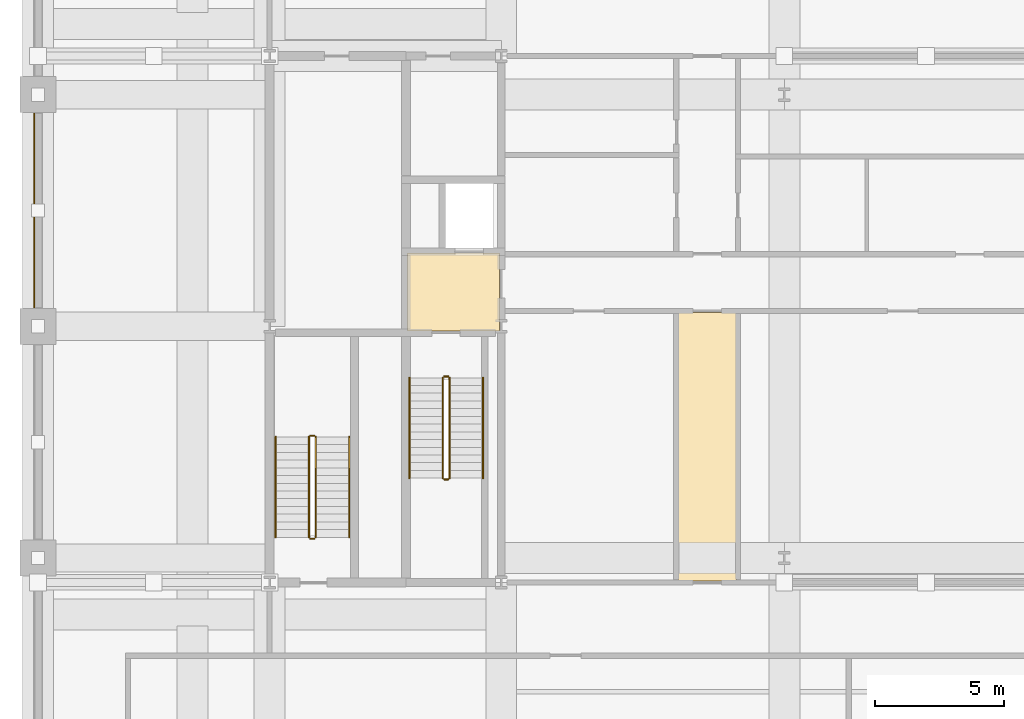
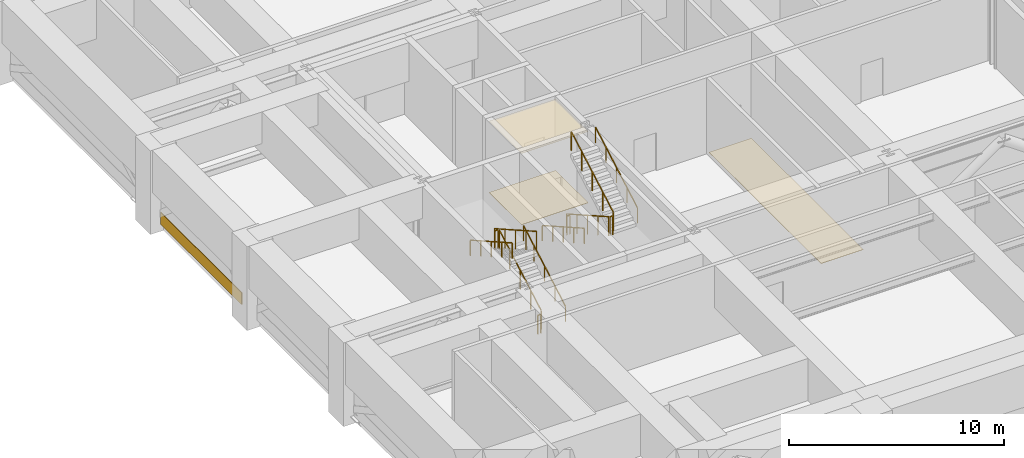
# One storey, part 8 of 10: 12 railings, 4 coverings.
"""IFC4 building model written with IfcOpenShell, lengths in metres."""

import ifcopenshell
import ifcopenshell.guid

model = None  # the IFC model being written
_history = None  # IfcOwnerHistory: only IFC2X3 demands one
_inside = {}  # id of a spatial element -> (the spatial element, [elements in it])
_under = {}  # id of a project, library or spatial element -> (it, [spatial elements below it])
_declared = {}  # id of a project -> (the project, [libraries it declares])
_typed = {}  # id of a type object -> (the type object, [elements of that type])
_made_of = {}  # id of a material, layer set ... -> (it, [elements and type objects made of it])


def new_model(schema):
    """Start an empty IFC model of exactly this schema.

    Asked for "IFC4X3", IfcOpenShell would pick the latest addendum, in which some entities
    have other attributes; the version numbers below select the first issue.
    IFC2X3 requires an IfcOwnerHistory on every rooted entity: one is made here for all.
    """
    global model, _history
    if schema == "IFC4X3":
        model = ifcopenshell.file(schema_version=(4, 3, 0, 0))
    else:
        model = ifcopenshell.file(schema=schema)
    _inside.clear()
    _under.clear()
    _declared.clear()
    _typed.clear()
    _made_of.clear()
    _history = None
    if model.schema == "IFC2X3":
        org = make("IfcOrganization", Name="unknown")
        user = make(
            "IfcPersonAndOrganization",
            ThePerson=make("IfcPerson", FamilyName="unknown"),
            TheOrganization=org,
        )
        app = make(
            "IfcApplication",
            ApplicationDeveloper=org,
            Version="unknown",
            ApplicationFullName="unknown",
            ApplicationIdentifier="unknown",
        )
        _history = make(
            "IfcOwnerHistory",
            OwningUser=user,
            OwningApplication=app,
            ChangeAction="ADDED",
            CreationDate=0,
        )
    return model


def make(cls, **values):
    """One entity of the class cls with the attributes given. An attribute that is None is left unset."""
    return model.create_entity(
        cls, **{name: value for name, value in values.items() if value is not None}
    )


def rooted(cls, **values):
    """An entity with a GlobalId (a new one), such as an element, a storey or a relation."""
    return make(cls, GlobalId=ifcopenshell.guid.new(), OwnerHistory=_history, **values)


def si_unit(unit_type, name, prefix=None):
    """IfcSIUnit, for example si_unit("LENGTHUNIT", "METRE", prefix="MILLI")."""
    return make("IfcSIUnit", UnitType=unit_type, Prefix=prefix, Name=name)


def assignment(units):
    """IfcUnitAssignment: the units of a project."""
    return None if units is None else make("IfcUnitAssignment", Units=units)


def point(xyz):
    """IfcCartesianPoint."""
    return None if xyz is None else make("IfcCartesianPoint", Coordinates=xyz)


def direction(xyz):
    """IfcDirection."""
    return None if xyz is None else make("IfcDirection", DirectionRatios=xyz)


def frame(location, z_axis=None, x_axis=None):
    """IfcAxis2Placement3D, a coordinate frame: its origin and axes. An axis left out is left unset."""
    return make(
        "IfcAxis2Placement3D",
        Location=point(location),
        Axis=direction(z_axis),
        RefDirection=direction(x_axis),
    )


def frame_2d(location, x_axis=None):
    """IfcAxis2Placement2D, a coordinate frame in the plane: its origin and x axis."""
    return make(
        "IfcAxis2Placement2D", Location=point(location), RefDirection=direction(x_axis)
    )


def origin():
    """The frame at (0, 0, 0) with its axes left unset."""
    return frame((0.0, 0.0, 0.0))


def origin_2d():
    """The frame at (0, 0) in the plane with its x axis left unset."""
    return frame_2d((0.0, 0.0))


def place(relative_to, where):
    """IfcLocalPlacement: puts the frame where relative to a parent placement (None: the world)."""
    return make(
        "IfcLocalPlacement", PlacementRelTo=relative_to, RelativePlacement=where
    )


def context(
    kind, dimensions, precision=None, world=None, true_north=None, identifier=None
):
    """IfcGeometricRepresentationContext, for example the 3D "Model" context."""
    return make(
        "IfcGeometricRepresentationContext",
        ContextIdentifier=identifier,
        ContextType=kind,
        CoordinateSpaceDimension=dimensions,
        Precision=precision,
        WorldCoordinateSystem=world,
        TrueNorth=true_north,
    )


def subcontext(parent, identifier, kind, view, scale=None):
    """IfcGeometricRepresentationSubContext, for example "Body" below "Model"."""
    return make(
        "IfcGeometricRepresentationSubContext",
        ContextIdentifier=identifier,
        ContextType=kind,
        ParentContext=parent,
        TargetScale=scale,
        TargetView=view,
    )


def project(units=None, contexts=None):
    """IfcProject with its units and contexts."""
    return rooted(
        "IfcProject",
        Name="project",
        RepresentationContexts=contexts,
        UnitsInContext=assignment(units),
    )


def spatial(cls, under=None, at=None, **own):
    """A site, building, storey or space (cls), placed at a placement, below another one or the project."""
    s = rooted(cls, ObjectPlacement=at, **own)
    if under is not None:
        _under.setdefault(under.id(), (under, []))[1].append(s)
    return s


def polyline(points):
    """IfcPolyline through the points."""
    return make("IfcPolyline", Points=[point(p) for p in points])


def profile(cls, at=None, kind="AREA", **sizes):
    """A parametric profile (cls). Its sizes go by their IFC names, for example OverallWidth=200.0."""
    return make(cls, ProfileType=kind, Position=at, **sizes)


def rectangle(**sizes):
    """IfcRectangleProfileDef."""
    return profile("IfcRectangleProfileDef", **sizes)


def outline(outer, holes=None, kind="AREA"):
    """IfcArbitraryClosedProfileDef: a profile drawn as a closed curve; with holes, ...WithVoids."""
    if holes is None:
        return make("IfcArbitraryClosedProfileDef", ProfileType=kind, OuterCurve=outer)
    return make(
        "IfcArbitraryProfileDefWithVoids",
        ProfileType=kind,
        OuterCurve=outer,
        InnerCurves=holes,
    )


def extrude(swept, where, along, depth):
    """IfcExtrudedAreaSolid: the profile swept, set in the frame where, extruded along a direction by depth."""
    return make(
        "IfcExtrudedAreaSolid",
        SweptArea=swept,
        Position=where,
        ExtrudedDirection=direction(along),
        Depth=depth,
    )


def shape(context_of_items, identifier, shape_type, items):
    """IfcShapeRepresentation: the items that make up one representation, for example the "Body"."""
    return make(
        "IfcShapeRepresentation",
        ContextOfItems=context_of_items,
        RepresentationIdentifier=identifier,
        RepresentationType=shape_type,
        Items=items,
    )


def material(Name=None, Category=None):
    """IfcMaterial."""
    return make("IfcMaterial", Name=Name, Category=Category)


def layer(
    of_material, thickness, ventilated=None, Name=None, Category=None, Priority=None
):
    """IfcMaterialLayer: one layer of a wall or slab, of a material (None: an air gap)."""
    return make(
        "IfcMaterialLayer",
        Material=of_material,
        LayerThickness=thickness,
        IsVentilated=ventilated,
        Name=Name,
        Category=Category,
        Priority=Priority,
    )


def layer_set(layers, Name=None):
    """IfcMaterialLayerSet."""
    return make("IfcMaterialLayerSet", MaterialLayers=layers, LayerSetName=Name)


def made_of(thing, what):
    """Note that an element or type object is made of a material, layer set ...; save() writes the relation."""
    if what is not None:
        _made_of.setdefault(what.id(), (what, []))[1].append(thing)
    return thing


def type_object(cls, material=None, **own):
    """A type object (cls), such as IfcWallType, which elements share."""
    return made_of(rooted(cls, **own), material)


def element(
    cls,
    number,
    at=None,
    inside=None,
    cuts=None,
    type_object=None,
    material=None,
    context=None,
    identifier="Body",
    shape_type=None,
    held_by="IfcProductDefinitionShape",
    body=None,
    shapes=None,
    **own,
):
    """One element of the class cls, such as IfcWall. Its Tag is "e" and its number.

    at: its placement. inside: the storey or other place that contains it. cuts: it is an
    opening in that element (IfcRelVoidsElement). A single representation is given by context,
    identifier, shape_type and body (its items); several are given by shapes. held_by: the class
    of the entity that holds the representations. save() writes the other relations.
    """
    e = rooted(cls, Tag="e%d" % number, ObjectPlacement=at, **own)
    if body is not None:
        shapes = [shape(context, identifier, shape_type, body)]
    if shapes is not None:
        e.Representation = make(held_by, Representations=shapes)
    if inside is not None:
        _inside.setdefault(inside.id(), (inside, []))[1].append(e)
    if cuts is not None:
        rooted(
            "IfcRelVoidsElement", RelatingBuildingElement=cuts, RelatedOpeningElement=e
        )
    if type_object is not None:
        _typed.setdefault(type_object.id(), (type_object, []))[1].append(e)
    return made_of(e, material)


def aggregate(whole, parts):
    """IfcRelAggregates: a whole, such as a stair, and the parts it consists of."""
    return rooted("IfcRelAggregates", RelatingObject=whole, RelatedObjects=parts)


def save(model, path):
    """Write the relations noted so far, then the file.

    IfcRelAggregates (storeys below a building ...), IfcRelContainedInSpatialStructure (elements
    in a storey), IfcRelDefinesByType, IfcRelAssociatesMaterial and IfcRelDeclares: one each for
    every whole, place, type object, material and project.
    """
    for whole, parts in _under.values():
        aggregate(whole, parts)
    for where, things in _inside.values():
        rooted(
            "IfcRelContainedInSpatialStructure",
            RelatedElements=things,
            RelatingStructure=where,
        )
    for kind, things in _typed.values():
        rooted("IfcRelDefinesByType", RelatedObjects=things, RelatingType=kind)
    for what, things in _made_of.values():
        rooted("IfcRelAssociatesMaterial", RelatedObjects=things, RelatingMaterial=what)
    for by, libraries in _declared.values():
        rooted("IfcRelDeclares", RelatingContext=by, RelatedDefinitions=libraries)
    model.write(path)


model = new_model("IFC4")

# Units and contexts
model_context = context("Model", 3, precision=1e-05, world=origin(), true_north=direction((0.0, 1.0)))
body_context = subcontext(model_context, "Body", "Model", "MODEL_VIEW")
ifc_project = project(units=[si_unit("LENGTHUNIT", "METRE"), si_unit("AREAUNIT", "SQUARE_METRE"), si_unit("VOLUMEUNIT", "CUBIC_METRE"), si_unit("PLANEANGLEUNIT", "RADIAN"), si_unit("MASSUNIT", "GRAM", prefix="KILO")], contexts=[model_context])

# Site, building, storey
site_placement = place(None, origin())
site = spatial("IfcSite", under=ifc_project, at=site_placement, CompositionType="ELEMENT")
building_placement = place(site_placement, origin())
building = spatial("IfcBuilding", under=site, at=building_placement, Name="Zulmaris Gate Convention Tower", CompositionType="ELEMENT")
storey_placement = place(building_placement, frame((0.0, 0.0, 82.179931640625)))
storey = spatial("IfcBuildingStorey", under=building, at=storey_placement, Name="L20", CompositionType="ELEMENT", Elevation=82.179931640625)

# Coverings
ifc_material_1 = material(Name="Precast concrete C40/50", Category="concrete")
ifc_layer_1 = layer(ifc_material_1, 0.0400390625, Name="Precast concrete C40/50")
ifc_layer_set_1 = layer_set([ifc_layer_1], Name="Precast concrete C40/50")
covering_type_1 = type_object("IfcCoveringType", Name="CLAD-SPANDREL-PRECAST", PredefinedType="CLADDING", material=ifc_layer_set_1)
covering_1_placement = place(storey_placement, frame((-29.14990234375, 8.27001953125, 0.0), z_axis=(0.0, 0.0, 1.0), x_axis=(0.0, -1.0, 0.0)))
element("IfcCovering", 1, at=covering_1_placement, inside=storey, type_object=covering_type_1, Name="CLD-L20-W-2_0", PredefinedType="CLADDING", context=body_context, shape_type="SweptSolid", body=[
    extrude(rectangle(XDim=7.5400390625, YDim=0.0400390625, at=frame_2d((3.77001953125, 0.0))), origin(), (0.0, 0.0, 1.0), 0.679931640625),
])
ifc_material_2 = material(Name="Mineral Fibre Acoustic Ceiling Tile")
ifc_layer_2 = layer(ifc_material_2, 0.02001953125, Name="Mineral Fibre Acoustic Ceiling Tile")
ifc_layer_set_2 = layer_set([ifc_layer_2], Name="Mineral Fibre Acoustic Ceiling Tile")
covering_type_2 = type_object("IfcCoveringType", Name="CLG-ACOUSTIC-600", PredefinedType="CEILING", material=ifc_layer_set_2)
covering_2_placement = place(storey_placement, frame((0.0, 0.0, 4.054931640625)))
element("IfcCovering", 2, at=covering_2_placement, inside=storey, type_object=covering_type_2, Name="CLG-L20-R03", PredefinedType="CEILING", context=body_context, shape_type="SweptSolid", body=[
    extrude(outline(polyline([(-14.639892578125, -0.18994140625), (-11.06005859375, -0.18994140625), (-11.06005859375, 2.840087890625), (-14.639892578125, 2.840087890625), (-14.639892578125, -0.18994140625)])), origin(), (0.0, 0.0, 1.0), 0.02001953125),
])
ifc_material_3 = material(Name="Woven Acoustic Wool Carpet Tile")
ifc_layer_3 = layer(ifc_material_3, 0.02001953125, Name="Woven Acoustic Wool Carpet Tile")
ifc_layer_set_3 = layer_set([ifc_layer_3], Name="Woven Acoustic Wool Carpet Tile")
covering_type_3 = type_object("IfcCoveringType", Name="FLR-CARPET-12", PredefinedType="FLOORING", material=ifc_layer_set_3)
covering_3_placement = place(storey_placement, origin())
element("IfcCovering", 3, at=covering_3_placement, inside=storey, type_object=covering_type_3, Name="FLR-L20-R03", PredefinedType="FLOORING", context=body_context, shape_type="SweptSolid", body=[
    extrude(outline(polyline([(-14.639892578125, -0.18994140625), (-11.06005859375, -0.18994140625), (-11.06005859375, 2.840087890625), (-14.639892578125, 2.840087890625), (-14.639892578125, -0.18994140625)])), origin(), (0.0, 0.0, 1.0), 0.02001953125),
])
covering_4_placement = place(storey_placement, origin())
element("IfcCovering", 4, at=covering_4_placement, inside=storey, type_object=covering_type_3, Name="FLR-L20-R27", PredefinedType="FLOORING", context=body_context, shape_type="SweptSolid", body=[
    extrude(outline(polyline([(-4.139892578125, -9.889892578125), (-1.860107421875, -9.889892578125), (-1.860107421875, 0.5400390625), (-4.139892578125, 0.5400390625), (-4.139892578125, -9.889892578125)])), origin(), (0.0, 0.0, 1.0), 0.02001953125),
])

# Railings
ifc_material_4 = material(Name="Painted Galvanised Steel", Category="steel")
railing_type_1 = type_object("IfcRailingType", Name="RL-STG-1150", PredefinedType="GUARDRAIL", material=ifc_material_4)
railing_1_placement = place(storey_placement, frame((-13.27001953125, -2.0, 0.169921875)))
element("IfcRailing", 5, at=railing_1_placement, inside=storey, type_object=railing_type_1, Name="L20 ST-1 stair guard 1", PredefinedType="GUARDRAIL", context=body_context, shape_type="SweptSolid", body=[
    extrude(rectangle(XDim=0.048095703125, YDim=0.048095703125, at=origin_2d()), frame((0.0, 0.0, 1.076171875), z_axis=(0.0, -0.870020628399, 0.493015320412), x_axis=(1.0, 0.0, 0.0)), (0.0, 0.0, 1.0), 4.482421875),
    extrude(rectangle(XDim=0.0419921875, YDim=0.0419921875, at=origin_2d()), origin(), (0.0, 0.0, 1.0), 1.052001953125),
    extrude(rectangle(XDim=0.0419921875, YDim=0.0419921875, at=origin_2d()), frame((0.0, -0.97509765625, 0.552490234375)), (0.0, 0.0, 1.0), 1.052001953125),
    extrude(rectangle(XDim=0.0419921875, YDim=0.0419921875, at=origin_2d()), frame((0.0, -1.949951171875, 1.10498046875)), (0.0, 0.0, 1.0), 1.052001953125),
    extrude(rectangle(XDim=0.0419921875, YDim=0.0419921875, at=origin_2d()), frame((0.0, -2.9248046875, 1.657470703125)), (0.0, 0.0, 1.0), 1.052001953125),
    extrude(rectangle(XDim=0.0419921875, YDim=0.0419921875, at=origin_2d()), frame((0.0, -3.89990234375, 2.2099609375)), (0.0, 0.0, 1.0), 1.052001953125),
])
railing_2_placement = place(storey_placement, frame((-13.219970703125, -5.949951171875, 2.3798828125)))
element("IfcRailing", 6, at=railing_2_placement, inside=storey, type_object=railing_type_1, Name="L20 ST-1 stair guard 2", PredefinedType="GUARDRAIL", context=body_context, shape_type="SweptSolid", body=[
    extrude(rectangle(XDim=0.048095703125, YDim=0.048095703125, at=origin_2d()), frame((0.0, 0.0, 1.076171875), z_axis=(1.0, 0.0, 0.0), x_axis=(0.0, 1.0, 0.0)), (0.0, 0.0, 1.0), 0.159912109375),
    extrude(rectangle(XDim=0.0419921875, YDim=0.0419921875, at=origin_2d()), origin(), (0.0, 0.0, 1.0), 1.052001953125),
    extrude(rectangle(XDim=0.0419921875, YDim=0.0419921875, at=origin_2d()), frame((0.159912109375, 0.0, 0.0)), (0.0, 0.0, 1.0), 1.052001953125),
])
railing_3_placement = place(storey_placement, frame((-13.010009765625, -5.89990234375, 2.550048828125)))
element("IfcRailing", 7, at=railing_3_placement, inside=storey, type_object=railing_type_1, Name="L20 ST-1 stair guard 3", PredefinedType="GUARDRAIL", context=body_context, shape_type="SweptSolid", body=[
    extrude(rectangle(XDim=0.048095703125, YDim=0.048095703125, at=origin_2d()), frame((0.0, 0.0, 1.076171875), z_axis=(0.0, 0.870020628399, 0.493015320412), x_axis=(-1.0, 0.0, 0.0)), (0.0, 0.0, 1.0), 4.482421875),
    extrude(rectangle(XDim=0.0419921875, YDim=0.0419921875, at=origin_2d()), origin(), (0.0, 0.0, 1.0), 1.052001953125),
    extrude(rectangle(XDim=0.0419921875, YDim=0.0419921875, at=origin_2d()), frame((0.0, 0.97509765625, 0.552490234375)), (0.0, 0.0, 1.0), 1.052001953125),
    extrude(rectangle(XDim=0.0419921875, YDim=0.0419921875, at=origin_2d()), frame((0.0, 1.949951171875, 1.10498046875)), (0.0, 0.0, 1.0), 1.052001953125),
    extrude(rectangle(XDim=0.0419921875, YDim=0.0419921875, at=origin_2d()), frame((0.0, 2.9248046875, 1.657470703125)), (0.0, 0.0, 1.0), 1.052001953125),
    extrude(rectangle(XDim=0.0419921875, YDim=0.0419921875, at=origin_2d()), frame((0.0, 3.89990234375, 2.2099609375)), (0.0, 0.0, 1.0), 1.052001953125),
])
railing_4_placement = place(storey_placement, frame((-13.219970703125, -1.949951171875, 0.0)))
element("IfcRailing", 8, at=railing_4_placement, inside=storey, type_object=railing_type_1, Name="L20 ST-1 stair guard 4", PredefinedType="GUARDRAIL", context=body_context, shape_type="SweptSolid", body=[
    extrude(rectangle(XDim=0.048095703125, YDim=0.048095703125, at=origin_2d()), frame((0.0, 0.0, 1.076171875), z_axis=(1.0, 0.0, 0.0), x_axis=(0.0, 1.0, 0.0)), (0.0, 0.0, 1.0), 0.159912109375),
    extrude(rectangle(XDim=0.0419921875, YDim=0.0419921875, at=origin_2d()), origin(), (0.0, 0.0, 1.0), 1.052001953125),
    extrude(rectangle(XDim=0.0419921875, YDim=0.0419921875, at=origin_2d()), frame((0.159912109375, 0.0, 0.0)), (0.0, 0.0, 1.0), 1.052001953125),
])
railing_5_placement = place(storey_placement, frame((-18.2099609375, -8.199951171875, 0.169921875)))
element("IfcRailing", 9, at=railing_5_placement, inside=storey, type_object=railing_type_1, Name="L20 ST-3 stair guard 1", PredefinedType="GUARDRAIL", context=body_context, shape_type="SweptSolid", body=[
    extrude(rectangle(XDim=0.048095703125, YDim=0.048095703125, at=origin_2d()), frame((0.0, 0.0, 1.076171875), z_axis=(0.0, 0.870020628399, 0.493015320412), x_axis=(-1.0, 0.0, 0.0)), (0.0, 0.0, 1.0), 4.482421875),
    extrude(rectangle(XDim=0.0419921875, YDim=0.0419921875, at=origin_2d()), origin(), (0.0, 0.0, 1.0), 1.052001953125),
    extrude(rectangle(XDim=0.0419921875, YDim=0.0419921875, at=origin_2d()), frame((0.0, 0.97509765625, 0.552490234375)), (0.0, 0.0, 1.0), 1.052001953125),
    extrude(rectangle(XDim=0.0419921875, YDim=0.0419921875, at=origin_2d()), frame((0.0, 1.949951171875, 1.10498046875)), (0.0, 0.0, 1.0), 1.052001953125),
    extrude(rectangle(XDim=0.0419921875, YDim=0.0419921875, at=origin_2d()), frame((0.0, 2.9248046875, 1.657470703125)), (0.0, 0.0, 1.0), 1.052001953125),
    extrude(rectangle(XDim=0.0419921875, YDim=0.0419921875, at=origin_2d()), frame((0.0, 3.89990234375, 2.2099609375)), (0.0, 0.0, 1.0), 1.052001953125),
])
railing_6_placement = place(storey_placement, frame((-18.260009765625, -4.25, 2.3798828125)))
element("IfcRailing", 10, at=railing_6_placement, inside=storey, type_object=railing_type_1, Name="L20 ST-3 stair guard 2", PredefinedType="GUARDRAIL", context=body_context, shape_type="SweptSolid", body=[
    extrude(rectangle(XDim=0.048095703125, YDim=0.048095703125, at=origin_2d()), frame((0.0, 0.0, 1.076171875), z_axis=(-1.0, 0.0, 0.0), x_axis=(0.0, -1.0, 0.0)), (0.0, 0.0, 1.0), 0.159912109375),
    extrude(rectangle(XDim=0.0419921875, YDim=0.0419921875, at=origin_2d()), origin(), (0.0, 0.0, 1.0), 1.052001953125),
    extrude(rectangle(XDim=0.0419921875, YDim=0.0419921875, at=origin_2d()), frame((-0.159912109375, 0.0, 0.0)), (0.0, 0.0, 1.0), 1.052001953125),
])
railing_7_placement = place(storey_placement, frame((-18.469970703125, -4.300048828125, 2.550048828125)))
element("IfcRailing", 11, at=railing_7_placement, inside=storey, type_object=railing_type_1, Name="L20 ST-3 stair guard 3", PredefinedType="GUARDRAIL", context=body_context, shape_type="SweptSolid", body=[
    extrude(rectangle(XDim=0.048095703125, YDim=0.048095703125, at=origin_2d()), frame((0.0, 0.0, 1.076171875), z_axis=(0.0, -0.870020628399, 0.493015320412), x_axis=(1.0, 0.0, 0.0)), (0.0, 0.0, 1.0), 4.482421875),
    extrude(rectangle(XDim=0.0419921875, YDim=0.0419921875, at=origin_2d()), origin(), (0.0, 0.0, 1.0), 1.052001953125),
    extrude(rectangle(XDim=0.0419921875, YDim=0.0419921875, at=origin_2d()), frame((0.0, -0.97509765625, 0.552490234375)), (0.0, 0.0, 1.0), 1.052001953125),
    extrude(rectangle(XDim=0.0419921875, YDim=0.0419921875, at=origin_2d()), frame((0.0, -1.949951171875, 1.10498046875)), (0.0, 0.0, 1.0), 1.052001953125),
    extrude(rectangle(XDim=0.0419921875, YDim=0.0419921875, at=origin_2d()), frame((0.0, -2.9248046875, 1.657470703125)), (0.0, 0.0, 1.0), 1.052001953125),
    extrude(rectangle(XDim=0.0419921875, YDim=0.0419921875, at=origin_2d()), frame((0.0, -3.89990234375, 2.2099609375)), (0.0, 0.0, 1.0), 1.052001953125),
])
railing_8_placement = place(storey_placement, frame((-18.260009765625, -8.25, 0.0)))
element("IfcRailing", 12, at=railing_8_placement, inside=storey, type_object=railing_type_1, Name="L20 ST-3 stair guard 4", PredefinedType="GUARDRAIL", context=body_context, shape_type="SweptSolid", body=[
    extrude(rectangle(XDim=0.048095703125, YDim=0.048095703125, at=origin_2d()), frame((0.0, 0.0, 1.076171875), z_axis=(-1.0, 0.0, 0.0), x_axis=(0.0, -1.0, 0.0)), (0.0, 0.0, 1.0), 0.159912109375),
    extrude(rectangle(XDim=0.0419921875, YDim=0.0419921875, at=origin_2d()), origin(), (0.0, 0.0, 1.0), 1.052001953125),
    extrude(rectangle(XDim=0.0419921875, YDim=0.0419921875, at=origin_2d()), frame((-0.159912109375, 0.0, 0.0)), (0.0, 0.0, 1.0), 1.052001953125),
])
ifc_material_5 = material(Name="Brushed Stainless Steel", Category="steel")
railing_type_2 = type_object("IfcRailingType", Name="RL-STH-900", PredefinedType="HANDRAIL", material=ifc_material_5)
railing_9_placement = place(storey_placement, frame((-14.570068359375, -2.0, 0.169921875)))
element("IfcRailing", 13, at=railing_9_placement, inside=storey, type_object=railing_type_2, Name="L20 ST-1 stair handrail 1", PredefinedType="HANDRAIL", context=body_context, shape_type="SweptSolid", body=[
    extrude(rectangle(XDim=0.048095703125, YDim=0.048095703125, at=origin_2d()), frame((0.0, 0.0, 0.8759765625), z_axis=(0.0, -0.870020628399, 0.493015320412), x_axis=(1.0, 0.0, 0.0)), (0.0, 0.0, 1.0), 4.482421875),
    extrude(rectangle(XDim=0.0419921875, YDim=0.0419921875, at=origin_2d()), origin(), (0.0, 0.0, 1.0), 0.851806640625),
    extrude(rectangle(XDim=0.0419921875, YDim=0.0419921875, at=origin_2d()), frame((0.0, -0.97509765625, 0.552490234375)), (0.0, 0.0, 1.0), 0.851806640625),
    extrude(rectangle(XDim=0.0419921875, YDim=0.0419921875, at=origin_2d()), frame((0.0, -1.949951171875, 1.10498046875)), (0.0, 0.0, 1.0), 0.851806640625),
    extrude(rectangle(XDim=0.0419921875, YDim=0.0419921875, at=origin_2d()), frame((0.0, -2.9248046875, 1.657470703125)), (0.0, 0.0, 1.0), 0.851806640625),
    extrude(rectangle(XDim=0.0419921875, YDim=0.0419921875, at=origin_2d()), frame((0.0, -3.89990234375, 2.2099609375)), (0.0, 0.0, 1.0), 0.851806640625),
])
for number, where, name in (
    (14, (-11.7099609375, -5.89990234375, 2.550048828125), "L20 ST-1 stair handrail 2"),
    (15, (-16.909912109375, -8.199951171875, 0.169921875), "L20 ST-3 stair handrail 1"),
):
    element("IfcRailing", number, at=place(storey_placement, frame(where)), inside=storey, type_object=railing_type_2, Name=name, PredefinedType="HANDRAIL", context=body_context, shape_type="SweptSolid", body=[
        extrude(rectangle(XDim=0.048095703125, YDim=0.048095703125, at=origin_2d()), frame((0.0, 0.0, 0.8759765625), z_axis=(0.0, 0.870020628399, 0.493015320412), x_axis=(-1.0, 0.0, 0.0)), (0.0, 0.0, 1.0), 4.482421875),
        extrude(rectangle(XDim=0.0419921875, YDim=0.0419921875, at=origin_2d()), origin(), (0.0, 0.0, 1.0), 0.851806640625),
        extrude(rectangle(XDim=0.0419921875, YDim=0.0419921875, at=origin_2d()), frame((0.0, 0.97509765625, 0.552490234375)), (0.0, 0.0, 1.0), 0.851806640625),
        extrude(rectangle(XDim=0.0419921875, YDim=0.0419921875, at=origin_2d()), frame((0.0, 1.949951171875, 1.10498046875)), (0.0, 0.0, 1.0), 0.851806640625),
        extrude(rectangle(XDim=0.0419921875, YDim=0.0419921875, at=origin_2d()), frame((0.0, 2.9248046875, 1.657470703125)), (0.0, 0.0, 1.0), 0.851806640625),
        extrude(rectangle(XDim=0.0419921875, YDim=0.0419921875, at=origin_2d()), frame((0.0, 3.89990234375, 2.2099609375)), (0.0, 0.0, 1.0), 0.851806640625),
    ])
railing_10_placement = place(storey_placement, frame((-19.77001953125, -4.300048828125, 2.550048828125)))
element("IfcRailing", 16, at=railing_10_placement, inside=storey, type_object=railing_type_2, Name="L20 ST-3 stair handrail 2", PredefinedType="HANDRAIL", context=body_context, shape_type="SweptSolid", body=[
    extrude(rectangle(XDim=0.048095703125, YDim=0.048095703125, at=origin_2d()), frame((0.0, 0.0, 0.8759765625), z_axis=(0.0, -0.870020628399, 0.493015320412), x_axis=(1.0, 0.0, 0.0)), (0.0, 0.0, 1.0), 4.482421875),
    extrude(rectangle(XDim=0.0419921875, YDim=0.0419921875, at=origin_2d()), origin(), (0.0, 0.0, 1.0), 0.851806640625),
    extrude(rectangle(XDim=0.0419921875, YDim=0.0419921875, at=origin_2d()), frame((0.0, -0.97509765625, 0.552490234375)), (0.0, 0.0, 1.0), 0.851806640625),
    extrude(rectangle(XDim=0.0419921875, YDim=0.0419921875, at=origin_2d()), frame((0.0, -1.949951171875, 1.10498046875)), (0.0, 0.0, 1.0), 0.851806640625),
    extrude(rectangle(XDim=0.0419921875, YDim=0.0419921875, at=origin_2d()), frame((0.0, -2.9248046875, 1.657470703125)), (0.0, 0.0, 1.0), 0.851806640625),
    extrude(rectangle(XDim=0.0419921875, YDim=0.0419921875, at=origin_2d()), frame((0.0, -3.89990234375, 2.2099609375)), (0.0, 0.0, 1.0), 0.851806640625),
])

save(model, "model.ifc")
